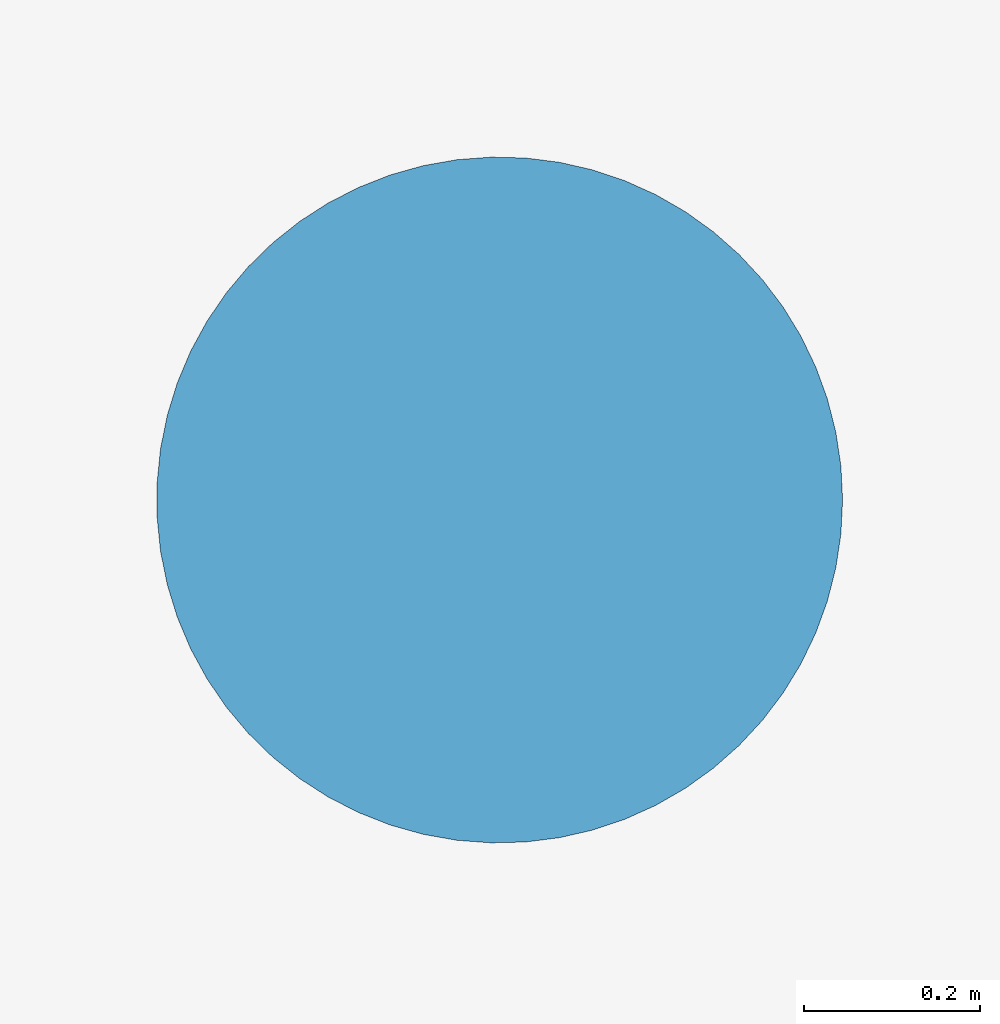
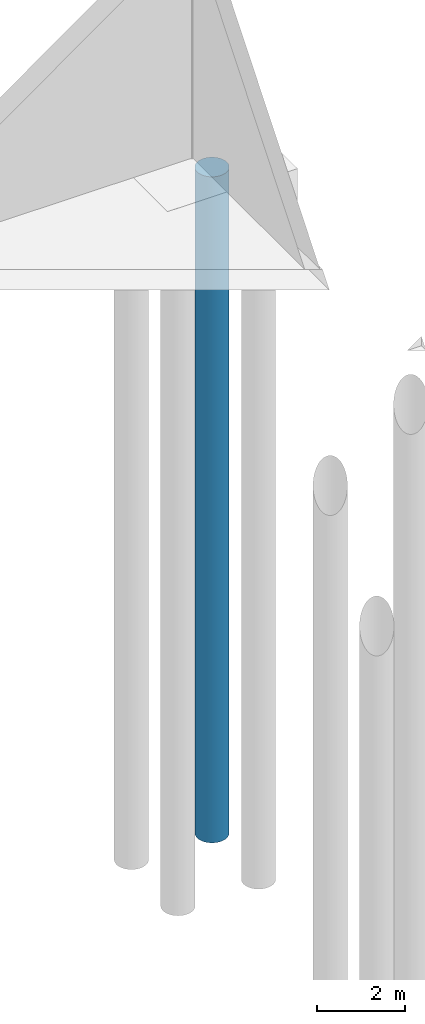
# One storey, part 8 of 131: 1 pile.
"""IFC4 building model written with IfcOpenShell, lengths in metres."""

from ifc_helpers import new_model, si_unit, direction, frame, origin, origin_2d, place, context, subcontext, project, spatial, circle, extrude, material, material_profile, profile_set, type_object, element, save


model = new_model("IFC4")

# Units and contexts
model_context = context("Model", 3, precision=1e-05, world=origin(), true_north=direction((0.0, 1.0)))
body_context = subcontext(model_context, "Body", "Model", "MODEL_VIEW")
ifc_project = project(units=[si_unit("LENGTHUNIT", "METRE"), si_unit("AREAUNIT", "SQUARE_METRE"), si_unit("VOLUMEUNIT", "CUBIC_METRE"), si_unit("PLANEANGLEUNIT", "RADIAN"), si_unit("MASSUNIT", "GRAM", prefix="KILO")], contexts=[model_context])

# Site, building, storey
site_placement = place(None, origin())
site = spatial("IfcSite", under=ifc_project, at=site_placement, CompositionType="ELEMENT")
building_placement = place(site_placement, origin())
building = spatial("IfcBuilding", under=site, at=building_placement, Name="Cazmaro Siding Exhibition Halls", CompositionType="ELEMENT")
storey_placement = place(building_placement, origin())
storey = spatial("IfcBuildingStorey", under=building, at=storey_placement, Name="L00", CompositionType="ELEMENT", Elevation=0.0)

# Pile
ifc_material = material(Name="Concrete f'c 35 MPa", Category="concrete")
ifc_material_profile = material_profile(ifc_material, circle(Radius=0.389892578125, at=origin_2d()), Name="CIDH-780")
ifc_profile_set = profile_set([ifc_material_profile], Name="Concrete f'c 35 MPa")
pile_type = type_object("IfcPileType", Name="P-02", PredefinedType="BORED", material=ifc_profile_set)
pile_placement = place(storey_placement, frame((217.052978515625, 119.052978515625, -1.39990234375), z_axis=(0.0, 0.0, -1.0), x_axis=(1.0, 0.0, 0.0)))
element("IfcPile", 1, at=pile_placement, inside=storey, type_object=pile_type, Name="Bored pile P-02 PIL-0758", PredefinedType="BORED", context=body_context, shape_type="SweptSolid", body=[
    extrude(circle(Radius=0.389892578125, at=origin_2d()), origin(), (0.0, 0.0, 1.0), 18.39990234375),
])

save(model, "model.ifc")
